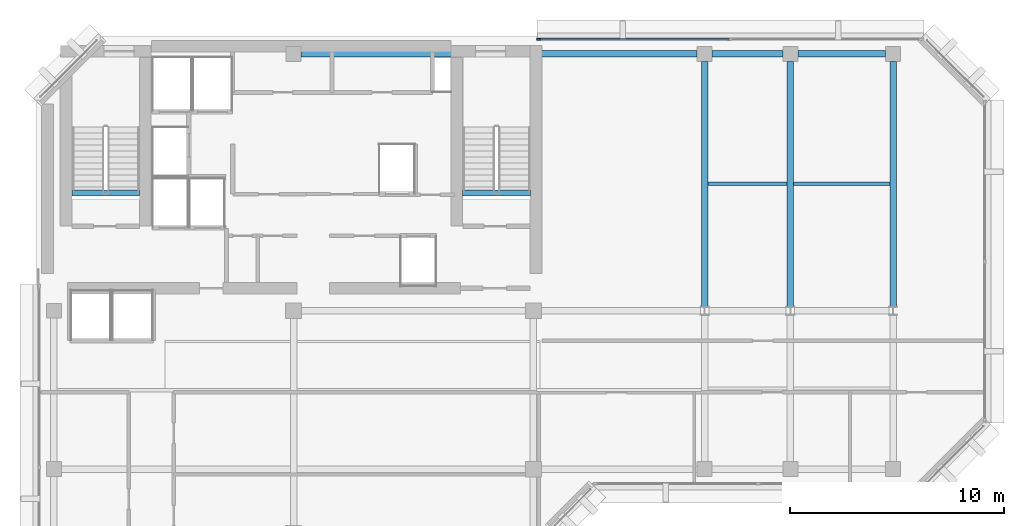
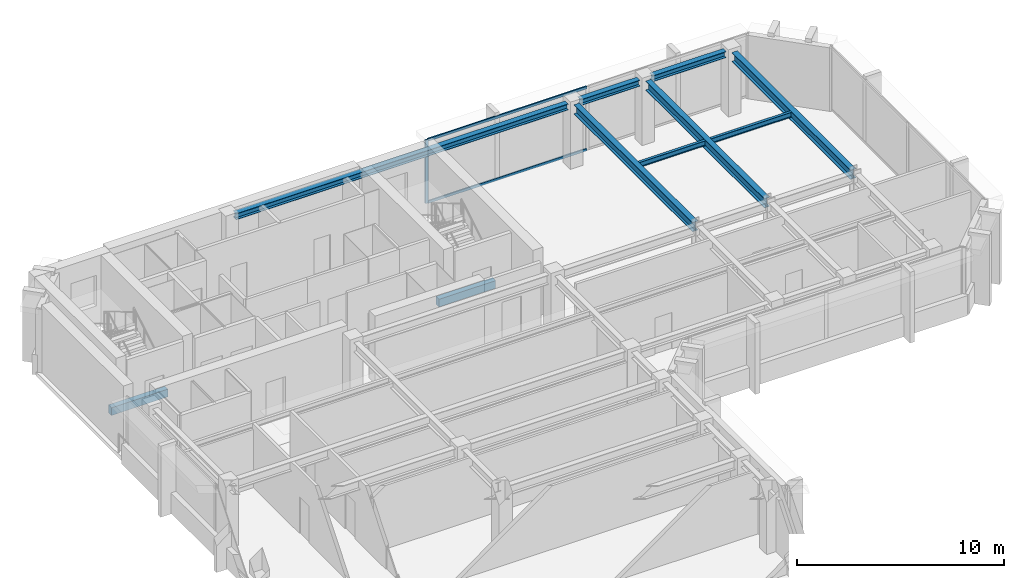
# One storey, part 4 of 11: 10 beams, 3 members, 1 element without a shape of its own.
"""IFC4 building model written with IfcOpenShell, lengths in metres."""

from ifc_helpers import new_model, si_unit, direction, frame, origin, origin_2d, place, context, subcontext, project, spatial, rectangle, i_section, extrude, material, layer, layer_set, material_profile, profile_set, type_object, element, aggregate, save


model = new_model("IFC4")

# Units and contexts
model_context = context("Model", 3, precision=1e-05, world=origin(), true_north=direction((0.0, 1.0)))
body_context = subcontext(model_context, "Body", "Model", "MODEL_VIEW")
ifc_project = project(units=[si_unit("LENGTHUNIT", "METRE"), si_unit("AREAUNIT", "SQUARE_METRE"), si_unit("VOLUMEUNIT", "CUBIC_METRE"), si_unit("PLANEANGLEUNIT", "RADIAN"), si_unit("MASSUNIT", "GRAM", prefix="KILO")], contexts=[model_context])

# Site, building, storey
site_placement = place(None, origin())
site = spatial("IfcSite", under=ifc_project, at=site_placement, CompositionType="ELEMENT")
building_placement = place(site_placement, origin())
building = spatial("IfcBuilding", under=site, at=building_placement, Name="Kefirva Bronze Tower", CompositionType="ELEMENT")
storey_placement = place(building_placement, frame((0.0, 0.0, 331.64990234375)))
storey = spatial("IfcBuildingStorey", under=building, at=storey_placement, Name="L81", CompositionType="ELEMENT", Elevation=331.64990234375)

# Curtain wall, members
ifc_material_1 = material(Name="Bronze anodised aluminium", Category="aluminium")
ifc_layer = layer(ifc_material_1, 0.179931640625, Name="Bronze anodised aluminium")
ifc_layer_set = layer_set([ifc_layer], Name="Bronze anodised aluminium")
curtain_wall_type = type_object("IfcCurtainWallType", Name="Unitised Bronze Ribbon Curtain Wall Zone 4", PredefinedType="USERDEFINED", material=ifc_layer_set)
curtain_wall_placement = place(storey_placement, origin())
curtain_wall = element("IfcCurtainWall", 1, at=curtain_wall_placement, inside=storey, type_object=curtain_wall_type, Name="L81 Curtain Wall 4", ObjectType="UNITISED CURTAIN WALL", PredefinedType="USERDEFINED")
ifc_material_profile_1 = material_profile(ifc_material_1, rectangle(XDim=0.074951171875, YDim=0.179931640625, at=origin_2d()), Name="ALU 75x180")
ifc_profile_set_1 = profile_set([ifc_material_profile_1], Name="Bronze anodised aluminium")
member_type_1 = type_object("IfcMemberType", Name="Bronze Mullion 75x180", PredefinedType="MULLION", material=ifc_profile_set_1)
member_1_placement = place(storey_placement, frame((23.4423828125, 45.8798828125, 0.0), z_axis=(0.0, 0.0, 1.0), x_axis=(0.0, -1.0, 0.0)))
member_1 = element("IfcMember", 2, at=member_1_placement, type_object=member_type_1, Name="CW-04 mullion 3", PredefinedType="MULLION", context=body_context, shape_type="SweptSolid", body=[
    extrude(rectangle(XDim=0.074951171875, YDim=0.179931640625, at=origin_2d()), origin(), (0.0, 0.0, 1.0), 3.739990234375),
])
ifc_material_profile_2 = material_profile(ifc_material_1, rectangle(XDim=0.074951171875, YDim=0.14990234375, at=origin_2d()), Name="ALU 75x150")
ifc_profile_set_2 = profile_set([ifc_material_profile_2], Name="Bronze anodised aluminium")
member_type_2 = type_object("IfcMemberType", Name="Bronze Transom 75x150", PredefinedType="USERDEFINED", material=ifc_profile_set_2)
member_2_placement = place(storey_placement, frame((32.33740234375, 45.8798828125, 0.03759765625), z_axis=(-1.0, 0.0, 0.0), x_axis=(0.0, -1.0, 0.0)))
member_2 = element("IfcMember", 3, at=member_2_placement, type_object=member_type_2, Name="CW-04 transom 2.1", ObjectType="TRANSOM", PredefinedType="USERDEFINED", context=body_context, shape_type="SweptSolid", body=[
    extrude(rectangle(XDim=0.074951171875, YDim=0.14990234375, at=origin_2d()), origin(), (0.0, 0.0, 1.0), 8.857421875),
])
member_3_placement = place(storey_placement, frame((32.33740234375, 45.8798828125, 3.70263671875), z_axis=(-1.0, 0.0, 0.0), x_axis=(0.0, -1.0, 0.0)))
member_3 = element("IfcMember", 4, at=member_3_placement, type_object=member_type_2, Name="CW-04 transom 2.2", ObjectType="TRANSOM", PredefinedType="USERDEFINED", context=body_context, shape_type="SweptSolid", body=[
    extrude(rectangle(XDim=0.074951171875, YDim=0.14990234375, at=origin_2d()), origin(), (0.0, 0.0, 1.0), 8.857421875),
])
aggregate(curtain_wall, [member_1, member_2, member_3])

# Beams
ifc_material_2 = material(Name="Concrete C50/60", Category="concrete")
ifc_material_profile_3 = material_profile(ifc_material_2, rectangle(XDim=0.300048828125, YDim=0.449951171875, at=origin_2d()), Name="RC 300x450")
ifc_profile_set_3 = profile_set([ifc_material_profile_3], Name="Concrete C50/60")
beam_type_1 = type_object("IfcBeamType", Name="RC Stair Trimmer Beam 300x450", PredefinedType="BEAM", material=ifc_profile_set_3)
beam_1_placement = place(storey_placement, frame((1.64501953125, 38.699951171875, -0.224853515625), z_axis=(1.0, 0.0, 0.0), x_axis=(0.0, 1.0, 0.0)))
element("IfcBeam", 5, at=beam_1_placement, inside=storey, type_object=beam_type_1, Name="L81 Stair 1 Landing Trimmer Beam", PredefinedType="BEAM", context=body_context, shape_type="SweptSolid", body=[
    extrude(rectangle(XDim=0.300048828125, YDim=0.449951171875, at=origin_2d()), origin(), (0.0, 0.0, 1.0), 3.14990234375),
])
beam_2_placement = place(storey_placement, frame((19.89501953125, 38.699951171875, -0.224853515625), z_axis=(1.0, 0.0, 0.0), x_axis=(0.0, 1.0, 0.0)))
element("IfcBeam", 6, at=beam_2_placement, inside=storey, type_object=beam_type_1, Name="L81 Stair 2 Landing Trimmer Beam", PredefinedType="BEAM", context=body_context, shape_type="SweptSolid", body=[
    extrude(rectangle(XDim=0.300048828125, YDim=0.449951171875, at=origin_2d()), origin(), (0.0, 0.0, 1.0), 3.159912109375),
])
ifc_material_3 = material(Name="Steel S355", Category="steel")
ifc_material_profile_4 = material_profile(ifc_material_3, i_section(OverallWidth=0.14990234375, OverallDepth=0.300048828125, WebThickness=0.007080078125, FlangeThickness=0.0107421875, at=origin_2d()), Name="IPE 300")
ifc_profile_set_4 = profile_set([ifc_material_profile_4], Name="Steel S355")
beam_type_2 = type_object("IfcBeamType", Name="Steel Floor Joist IPE 300", PredefinedType="JOIST", material=ifc_profile_set_4)
beam_3_placement = place(storey_placement, frame((31.35009765625, 39.12890625, 3.590087890625), z_axis=(1.0, 0.0, 0.0), x_axis=(0.0, 1.0, 0.0)))
element("IfcBeam", 7, at=beam_3_placement, inside=storey, type_object=beam_type_2, Name="L81 JST-L81-31-391", PredefinedType="JOIST", context=body_context, shape_type="SweptSolid", body=[
    extrude(i_section(OverallWidth=0.14990234375, OverallDepth=0.300048828125, WebThickness=0.007080078125, FlangeThickness=0.0107421875, at=origin_2d()), origin(), (0.0, 0.0, 1.0), 3.699951171875),
])
beam_4_placement = place(storey_placement, frame((35.35009765625, 39.12890625, 3.590087890625), z_axis=(1.0, 0.0, 0.0), x_axis=(0.0, 1.0, 0.0)))
element("IfcBeam", 8, at=beam_4_placement, inside=storey, type_object=beam_type_2, Name="L81 JST-L81-35-391", PredefinedType="JOIST", context=body_context, shape_type="SweptSolid", body=[
    extrude(i_section(OverallWidth=0.14990234375, OverallDepth=0.300048828125, WebThickness=0.007080078125, FlangeThickness=0.0107421875, at=origin_2d()), origin(), (0.0, 0.0, 1.0), 4.5),
])
ifc_material_profile_5 = material_profile(ifc_material_3, i_section(OverallWidth=0.300048828125, OverallDepth=0.550048828125, WebThickness=0.014892578125, FlangeThickness=0.029052734375, at=origin_2d()), Name="HEB 550")
ifc_profile_set_5 = profile_set([ifc_material_profile_5], Name="Steel S355")
beam_type_3 = type_object("IfcBeamType", Name="Steel Girder HEB 550", PredefinedType="USERDEFINED", material=ifc_profile_set_5)
for number, where, z_axis, x_axis, name in (
    (9, (31.199951171875, 33.407958984375, 3.465087890625), (0.0, 1.0, 0.0), (-1.0, 0.0, 0.0), "L81 BM-L81-NS-312-33"),
    (10, (35.199951171875, 33.407958984375, 3.465087890625), (0.0, 1.0, 0.0), (-1.0, 0.0, 0.0), "L81 BM-L81-NS-352-33"),
    (11, (40.0, 33.407958984375, 3.465087890625), (0.0, 1.0, 0.0), (-1.0, 0.0, 0.0), "L81 BM-L81-NS-400-33"),
):
    element("IfcBeam", number, at=place(storey_placement, frame(where, z_axis=z_axis, x_axis=x_axis)), inside=storey, type_object=beam_type_3, Name=name, ObjectType="GIRDER", PredefinedType="USERDEFINED", context=body_context, shape_type="SweptSolid", body=[
        extrude(i_section(OverallWidth=0.300048828125, OverallDepth=0.550048828125, WebThickness=0.014892578125, FlangeThickness=0.029052734375, at=origin_2d()), origin(), (0.0, 0.0, 1.0), 11.442138671875),
    ])
ifc_material_profile_6 = material_profile(ifc_material_3, i_section(OverallWidth=0.300048828125, OverallDepth=0.360107421875, WebThickness=0.012451171875, FlangeThickness=0.0224609375, at=origin_2d()), Name="HEB 360")
ifc_profile_set_6 = profile_set([ifc_material_profile_6], Name="Steel S355")
beam_type_4 = type_object("IfcBeamType", Name="Steel Spandrel HEB 360 Ext", PredefinedType="SPANDREL", material=ifc_profile_set_6)
beam_5_placement = place(storey_placement, frame((12.35009765625, 45.199951171875, 3.56005859375), z_axis=(1.0, 0.0, 0.0), x_axis=(0.0, 1.0, 0.0)))
element("IfcBeam", 12, at=beam_5_placement, inside=storey, type_object=beam_type_4, Name="L81 BM-L81-EW-12-452", PredefinedType="SPANDREL", context=body_context, shape_type="SweptSolid", body=[
    extrude(i_section(OverallWidth=0.300048828125, OverallDepth=0.360107421875, WebThickness=0.012451171875, FlangeThickness=0.0224609375, at=origin_2d()), origin(), (0.0, 0.0, 1.0), 18.5),
])
beam_6_placement = place(storey_placement, frame((31.550048828125, 45.199951171875, 3.56005859375), z_axis=(1.0, 0.0, 0.0), x_axis=(0.0, 1.0, 0.0)))
element("IfcBeam", 13, at=beam_6_placement, inside=storey, type_object=beam_type_4, Name="L81 BM-L81-EW-31-452", PredefinedType="SPANDREL", context=body_context, shape_type="SweptSolid", body=[
    extrude(i_section(OverallWidth=0.300048828125, OverallDepth=0.360107421875, WebThickness=0.012451171875, FlangeThickness=0.0224609375, at=origin_2d()), origin(), (0.0, 0.0, 1.0), 3.300048828125),
])
beam_7_placement = place(storey_placement, frame((35.550048828125, 45.199951171875, 3.56005859375), z_axis=(1.0, 0.0, 0.0), x_axis=(0.0, 1.0, 0.0)))
element("IfcBeam", 14, at=beam_7_placement, inside=storey, type_object=beam_type_4, Name="L81 BM-L81-EW-35-452", PredefinedType="SPANDREL", context=body_context, shape_type="SweptSolid", body=[
    extrude(i_section(OverallWidth=0.300048828125, OverallDepth=0.360107421875, WebThickness=0.012451171875, FlangeThickness=0.0224609375, at=origin_2d()), origin(), (0.0, 0.0, 1.0), 4.099853515625),
])

save(model, "model.ifc")
